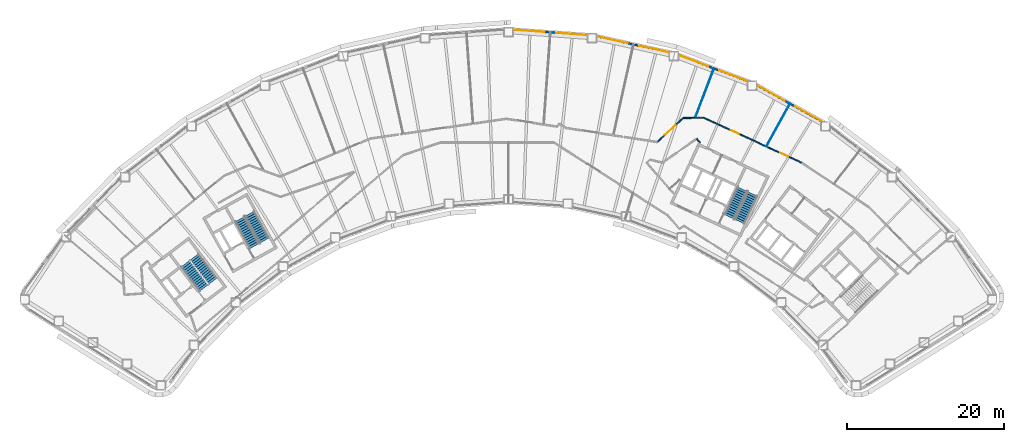
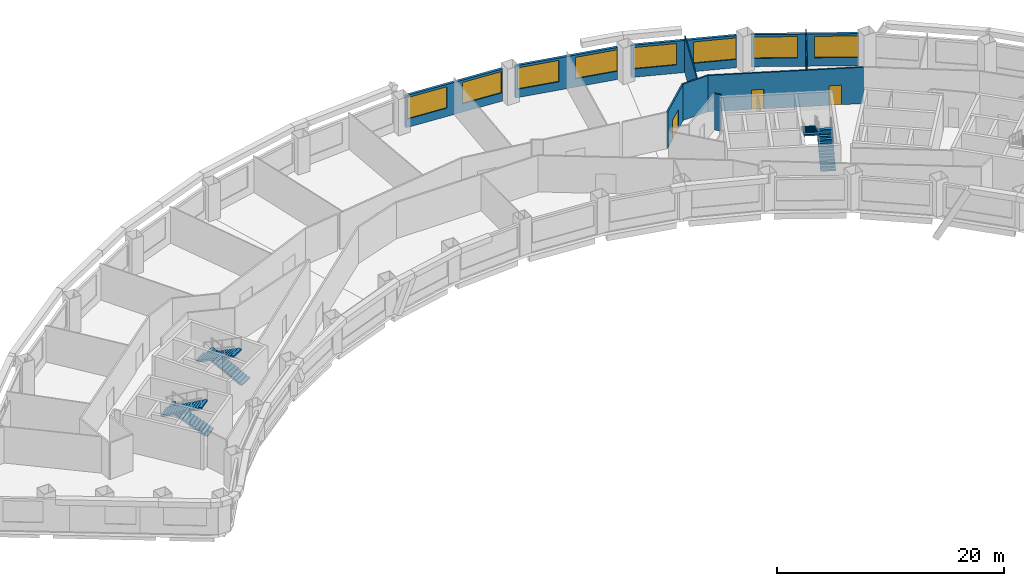
# One storey, part 8 of 11: 10 walls, 8 windows, 6 stair flights, 3 doors, 11 openings, 3 elements without a shape of their own.
"""IFC4 building model written with IfcOpenShell, lengths in metres."""

from ifc_helpers import new_model, si_unit, direction, frame, frame_2d, origin, place, context, subcontext, project, spatial, polyline, rectangle, outline, extrude, material, layer, layer_set, type_object, element, fill, aggregate, save


model = new_model("IFC4")

# Units and contexts
model_context = context("Model", 3, precision=1e-05, world=origin(), true_north=direction((0.0, 1.0)))
body_context = subcontext(model_context, "Body", "Model", "MODEL_VIEW")
ifc_project = project(units=[si_unit("LENGTHUNIT", "METRE"), si_unit("AREAUNIT", "SQUARE_METRE"), si_unit("VOLUMEUNIT", "CUBIC_METRE"), si_unit("PLANEANGLEUNIT", "RADIAN"), si_unit("MASSUNIT", "GRAM", prefix="KILO")], contexts=[model_context])

# Site, building, storey
site_placement = place(None, origin())
site = spatial("IfcSite", under=ifc_project, at=site_placement, CompositionType="ELEMENT")
building_placement = place(site_placement, origin())
building = spatial("IfcBuilding", under=site, at=building_placement, Name="Tuul Gate Civic Tower", CompositionType="ELEMENT")
storey_placement = place(building_placement, frame((0.0, 0.0, 69.60009765625)))
storey = spatial("IfcBuildingStorey", under=building, at=storey_placement, Name="Level 15", CompositionType="ELEMENT", Elevation=69.60009765625)

# Wall, openings, doors
ifc_material_1 = material(Name="Gypsum board partition")
ifc_layer_1 = layer(ifc_material_1, 0.14990234375)
ifc_layer_set_1 = layer_set([ifc_layer_1], Name="Gypsum board partition")
wall_type_1 = type_object("IfcWallType", Name="Corridor wall P150", PredefinedType="PARTITIONING", material=ifc_layer_set_1)
wall_1_placement = place(storey_placement, frame((29.681884765625, 7.77734375, 0.0), z_axis=(0.0, 0.0, 1.0), x_axis=(0.908660653777, -0.417535407213, 0.0)))
wall_1 = element("IfcWall", 1, at=wall_1_placement, inside=storey, type_object=wall_type_1, Name="p010", PredefinedType="PARTITIONING", context=body_context, shape_type="SweptSolid", body=[
    extrude(rectangle(XDim=13.76123046875, YDim=0.14990234375, at=frame_2d((6.880615234375, 0.0))), origin(), (0.0, 0.0, 1.0), 3.89990234375),
])
opening_1_placement = place(wall_1_placement, frame((10.729736328125, 0.0, 0.0)))
opening_1 = element("IfcOpeningElement", 2, at=opening_1_placement, cuts=wall_1, Name="Opening D-D02", PredefinedType="OPENING", context=body_context, shape_type="SweptSolid", body=[
    extrude(rectangle(XDim=1.10009765625, YDim=2.10009765625, at=frame_2d((0.550048828125, 1.050048828125))), frame((0.0, 0.0849609375, 0.0), z_axis=(0.0, -1.0, 0.0), x_axis=(1.0, 0.0, 0.0)), (0.0, 0.0, 1.0), 0.169921875),
])
opening_2_placement = place(wall_1_placement, frame((3.84912109375, 0.0, 0.0)))
opening_2 = element("IfcOpeningElement", 3, at=opening_2_placement, cuts=wall_1, Name="Opening D-D03", PredefinedType="OPENING", context=body_context, shape_type="SweptSolid", body=[
    extrude(rectangle(XDim=1.10009765625, YDim=2.10009765625, at=frame_2d((0.550048828125, 1.050048828125))), frame((0.0, 0.0849609375, 0.0), z_axis=(0.0, -1.0, 0.0), x_axis=(1.0, 0.0, 0.0)), (0.0, 0.0, 1.0), 0.169921875),
])
ifc_material_2 = material(Name="Timber door leaf", Category="wood")
door_type_1 = type_object("IfcDoorType", Name="Door D11", OperationType="NOTDEFINED", PredefinedType="DOOR", material=ifc_material_2)
door_1_placement = place(opening_1_placement, origin())
door_1 = element("IfcDoor", 4, at=door_1_placement, inside=storey, type_object=door_type_1, Name="Door D-D02", OperationType="SINGLE_SWING_RIGHT", OverallHeight=2.10009765625, OverallWidth=1.10009765625, PredefinedType="DOOR", context=body_context, shape_type="SweptSolid", body=[
    extrude(rectangle(XDim=1.10009765625, YDim=2.10009765625, at=frame_2d((0.550048828125, 1.050048828125))), frame((0.0, 0.02490234375, 0.0), z_axis=(0.0, -1.0, 0.0), x_axis=(1.0, 0.0, 0.0)), (0.0, 0.0, 1.0), 0.050048828125),
])
fill(opening_1, door_1)
door_2_placement = place(opening_2_placement, origin())
door_2 = element("IfcDoor", 5, at=door_2_placement, inside=storey, type_object=door_type_1, Name="Door D-D03", OperationType="SINGLE_SWING_RIGHT", OverallHeight=2.10009765625, OverallWidth=1.10009765625, PredefinedType="DOOR", context=body_context, shape_type="SweptSolid", body=[
    extrude(rectangle(XDim=1.10009765625, YDim=2.10009765625, at=frame_2d((0.550048828125, 1.050048828125))), frame((0.0, 0.02490234375, 0.0), z_axis=(0.0, -1.0, 0.0), x_axis=(1.0, 0.0, 0.0)), (0.0, 0.0, 1.0), 0.050048828125),
])
fill(opening_2, door_2)

# Wall
wall_2_placement = place(storey_placement, frame((27.086669921875, 7.726806640625, 0.0), z_axis=(0.0, 0.0, 1.0), x_axis=(0.999808508036, 0.019569038268, 0.0)))
element("IfcWall", 6, at=wall_2_placement, inside=storey, type_object=wall_type_1, Name="p012", PredefinedType="PARTITIONING", context=body_context, shape_type="SweptSolid", body=[
    extrude(rectangle(XDim=2.594970703125, YDim=0.14990234375, at=frame_2d((1.29736328125, 0.0))), origin(), (0.0, 0.0, 1.0), 3.89990234375),
])

# Wall, opening, door
wall_3_placement = place(storey_placement, frame((23.764404296875, 4.680419921875, 0.0), z_axis=(0.0, 0.0, 1.0), x_axis=(0.736974217678, 0.675920855188, 0.0)))
wall_3 = element("IfcWall", 7, at=wall_3_placement, inside=storey, type_object=wall_type_1, Name="p014", PredefinedType="PARTITIONING", context=body_context, shape_type="SweptSolid", body=[
    extrude(rectangle(XDim=4.506591796875, YDim=0.14990234375, at=frame_2d((2.25341796875, 0.0))), origin(), (0.0, 0.0, 1.0), 3.89990234375),
])
opening_3_placement = place(wall_3_placement, frame((1.353515625, 0.0, 0.0)))
opening_3 = element("IfcOpeningElement", 8, at=opening_3_placement, cuts=wall_3, Name="Opening D-D04", PredefinedType="OPENING", context=body_context, shape_type="SweptSolid", body=[
    extrude(rectangle(XDim=1.800048828125, YDim=2.10009765625, at=frame_2d((0.89990234375, 1.050048828125))), frame((0.0, 0.0849609375, 0.0), z_axis=(0.0, -1.0, 0.0), x_axis=(1.0, 0.0, 0.0)), (0.0, 0.0, 1.0), 0.169921875),
])
ifc_material_3 = material(Name="Timber door leaf, double", Category="wood")
door_type_2 = type_object("IfcDoorType", Name="Door D18", OperationType="DOUBLE_DOOR_SINGLE_SWING", PredefinedType="DOOR", material=ifc_material_3)
door_3_placement = place(opening_3_placement, origin())
door_3 = element("IfcDoor", 9, at=door_3_placement, inside=storey, type_object=door_type_2, Name="Door D-D04", OperationType="DOUBLE_DOOR_SINGLE_SWING", OverallHeight=2.10009765625, OverallWidth=1.800048828125, PredefinedType="DOOR", context=body_context, shape_type="SweptSolid", body=[
    extrude(rectangle(XDim=1.800048828125, YDim=2.10009765625, at=frame_2d((0.89990234375, 1.050048828125))), frame((0.0, 0.02490234375, 0.0), z_axis=(0.0, -1.0, 0.0), x_axis=(1.0, 0.0, 0.0)), (0.0, 0.0, 1.0), 0.050048828125),
])
fill(opening_3, door_3)

# Wall
wall_4_placement = place(storey_placement, frame((28.791748046875, 5.095947265625, 0.0), z_axis=(0.0, 0.0, 1.0), x_axis=(0.657976599843, -0.753038374891, 0.0)))
element("IfcWall", 10, at=wall_4_placement, inside=storey, type_object=wall_type_1, Name="p058", PredefinedType="PARTITIONING", context=body_context, shape_type="SweptSolid", body=[
    extrude(rectangle(XDim=0.65478515625, YDim=0.14990234375, at=frame_2d((0.327392578125, 0.0))), origin(), (0.0, 0.0, 1.0), 3.89990234375),
])

# Wall, openings, windows
ifc_material_4 = material(Name="Precast concrete C40/50", Category="concrete")
ifc_layer_2 = layer(ifc_material_4, 0.25)
ifc_layer_set_2 = layer_set([ifc_layer_2], Name="Precast concrete C40/50")
wall_type_2 = type_object("IfcWallType", Name="External wall", PredefinedType="STANDARD", material=ifc_layer_set_2)
wall_5_placement = place(storey_placement, frame((44.798583984375, 7.283935546875, 0.0), z_axis=(0.0, 0.0, 1.0), x_axis=(-0.874600835604, 0.484843663835, 0.0)))
wall_5 = element("IfcWall", 11, at=wall_5_placement, inside=storey, type_object=wall_type_2, Name="External wall", PredefinedType="STANDARD", context=body_context, shape_type="SweptSolid", body=[
    extrude(rectangle(XDim=9.5205078125, YDim=0.25, at=frame_2d((4.76025390625, 0.0))), origin(), (0.0, 0.0, 1.0), 3.449951171875),
])
opening_4_placement = place(wall_5_placement, frame((0.0771484375, 0.0, 0.89990234375)))
opening_4 = element("IfcOpeningElement", 12, at=opening_4_placement, cuts=wall_5, Name="Opening W22", PredefinedType="OPENING", context=body_context, shape_type="SweptSolid", body=[
    extrude(rectangle(XDim=3.85009765625, YDim=2.300048828125, at=frame_2d((1.925048828125, 1.14990234375))), frame((0.0, 0.135009765625, 0.0), z_axis=(0.0, -1.0, 0.0), x_axis=(1.0, 0.0, 0.0)), (0.0, 0.0, 1.0), 0.27001953125),
])
opening_5_placement = place(wall_5_placement, frame((5.447998046875, 0.0, 0.89990234375)))
opening_5 = element("IfcOpeningElement", 13, at=opening_5_placement, cuts=wall_5, Name="Opening W22", PredefinedType="OPENING", context=body_context, shape_type="SweptSolid", body=[
    extrude(rectangle(XDim=3.85009765625, YDim=2.300048828125, at=frame_2d((1.925048828125, 1.14990234375))), frame((0.0, 0.135009765625, 0.0), z_axis=(0.0, -1.0, 0.0), x_axis=(1.0, 0.0, 0.0)), (0.0, 0.0, 1.0), 0.27001953125),
])
ifc_material_5 = material(Name="Glass", Category="glass")
window_type_1 = type_object("IfcWindowType", Name="Window W22 3850 x 2300", PartitioningType="SINGLE_PANEL", PredefinedType="WINDOW", material=ifc_material_5)
window_1_placement = place(opening_4_placement, origin())
window_1 = element("IfcWindow", 14, at=window_1_placement, inside=storey, type_object=window_type_1, Name="Window", OverallHeight=2.300048828125, OverallWidth=3.85009765625, PartitioningType="SINGLE_PANEL", PredefinedType="WINDOW", context=body_context, shape_type="SweptSolid", body=[
    extrude(rectangle(XDim=3.85009765625, YDim=2.300048828125, at=frame_2d((1.925048828125, 1.14990234375))), frame((0.0, 0.030029296875, 0.0), z_axis=(0.0, -1.0, 0.0), x_axis=(1.0, 0.0, 0.0)), (0.0, 0.0, 1.0), 0.06005859375),
])
fill(opening_4, window_1)
window_2_placement = place(opening_5_placement, origin())
window_2 = element("IfcWindow", 15, at=window_2_placement, inside=storey, type_object=window_type_1, Name="Window", OverallHeight=2.300048828125, OverallWidth=3.85009765625, PartitioningType="SINGLE_PANEL", PredefinedType="WINDOW", context=body_context, shape_type="SweptSolid", body=[
    extrude(rectangle(XDim=3.85009765625, YDim=2.300048828125, at=frame_2d((1.925048828125, 1.14990234375))), frame((0.0, 0.030029296875, 0.0), z_axis=(0.0, -1.0, 0.0), x_axis=(1.0, 0.0, 0.0)), (0.0, 0.0, 1.0), 0.06005859375),
])
fill(opening_5, window_2)

wall_6_placement = place(storey_placement, frame((35.27197265625, 12.43505859375, 0.0), z_axis=(0.0, 0.0, 1.0), x_axis=(-0.935339717619, 0.35375077759, 0.0)))
wall_6 = element("IfcWall", 16, at=wall_6_placement, inside=storey, type_object=wall_type_2, Name="External wall", PredefinedType="STANDARD", context=body_context, shape_type="SweptSolid", body=[
    extrude(rectangle(XDim=9.394287109375, YDim=0.25, at=frame_2d((4.697265625, 0.0))), origin(), (0.0, 0.0, 1.0), 3.449951171875),
])
opening_6_placement = place(wall_6_placement, frame((0.044921875, 0.0, 0.89990234375)))
opening_6 = element("IfcOpeningElement", 17, at=opening_6_placement, cuts=wall_6, Name="Opening W100", PredefinedType="OPENING", context=body_context, shape_type="SweptSolid", body=[
    extrude(rectangle(XDim=3.800048828125, YDim=2.300048828125, at=frame_2d((1.89990234375, 1.14990234375))), frame((0.0, 0.135009765625, 0.0), z_axis=(0.0, -1.0, 0.0), x_axis=(1.0, 0.0, 0.0)), (0.0, 0.0, 1.0), 0.27001953125),
])
opening_7_placement = place(wall_6_placement, frame((5.33447265625, 0.0, 0.89990234375)))
opening_7 = element("IfcOpeningElement", 18, at=opening_7_placement, cuts=wall_6, Name="Opening W22", PredefinedType="OPENING", context=body_context, shape_type="SweptSolid", body=[
    extrude(rectangle(XDim=3.85009765625, YDim=2.300048828125, at=frame_2d((1.925048828125, 1.14990234375))), frame((0.0, 0.135009765625, 0.0), z_axis=(0.0, -1.0, 0.0), x_axis=(1.0, 0.0, 0.0)), (0.0, 0.0, 1.0), 0.27001953125),
])
ifc_material_6 = material(Name="Glass", Category="glass")
window_type_2 = type_object("IfcWindowType", Name="Window W100 3800 x 2300", PartitioningType="SINGLE_PANEL", PredefinedType="WINDOW", material=ifc_material_6)
window_3_placement = place(opening_6_placement, origin())
window_3 = element("IfcWindow", 19, at=window_3_placement, inside=storey, type_object=window_type_2, Name="Window", OverallHeight=2.300048828125, OverallWidth=3.800048828125, PartitioningType="SINGLE_PANEL", PredefinedType="WINDOW", context=body_context, shape_type="SweptSolid", body=[
    extrude(rectangle(XDim=3.800048828125, YDim=2.300048828125, at=frame_2d((1.89990234375, 1.14990234375))), frame((0.0, 0.030029296875, 0.0), z_axis=(0.0, -1.0, 0.0), x_axis=(1.0, 0.0, 0.0)), (0.0, 0.0, 1.0), 0.06005859375),
])
fill(opening_6, window_3)
window_4_placement = place(opening_7_placement, origin())
window_4 = element("IfcWindow", 20, at=window_4_placement, inside=storey, type_object=window_type_1, Name="Window", OverallHeight=2.300048828125, OverallWidth=3.85009765625, PartitioningType="SINGLE_PANEL", PredefinedType="WINDOW", context=body_context, shape_type="SweptSolid", body=[
    extrude(rectangle(XDim=3.85009765625, YDim=2.300048828125, at=frame_2d((1.925048828125, 1.14990234375))), frame((0.0, 0.030029296875, 0.0), z_axis=(0.0, -1.0, 0.0), x_axis=(1.0, 0.0, 0.0)), (0.0, 0.0, 1.0), 0.06005859375),
])
fill(opening_7, window_4)

wall_7_placement = place(storey_placement, frame((25.284912109375, 16.1025390625, 0.0), z_axis=(0.0, 0.0, 1.0), x_axis=(-0.976565560321, 0.215220134732, 0.0)))
wall_7 = element("IfcWall", 21, at=wall_7_placement, inside=storey, type_object=wall_type_2, Name="External wall", PredefinedType="STANDARD", context=body_context, shape_type="SweptSolid", body=[
    extrude(rectangle(XDim=9.4482421875, YDim=0.25, at=frame_2d((4.72412109375, 0.0))), origin(), (0.0, 0.0, 1.0), 3.449951171875),
])
opening_8_placement = place(wall_7_placement, frame((0.041748046875, 0.0, 0.89990234375)))
opening_8 = element("IfcOpeningElement", 22, at=opening_8_placement, cuts=wall_7, Name="Opening W22", PredefinedType="OPENING", context=body_context, shape_type="SweptSolid", body=[
    extrude(rectangle(XDim=3.85009765625, YDim=2.300048828125, at=frame_2d((1.925048828125, 1.14990234375))), frame((0.0, 0.135009765625, 0.0), z_axis=(0.0, -1.0, 0.0), x_axis=(1.0, 0.0, 0.0)), (0.0, 0.0, 1.0), 0.27001953125),
])
opening_9_placement = place(wall_7_placement, frame((5.4130859375, 0.0, 0.89990234375)))
opening_9 = element("IfcOpeningElement", 23, at=opening_9_placement, cuts=wall_7, Name="Opening W22", PredefinedType="OPENING", context=body_context, shape_type="SweptSolid", body=[
    extrude(rectangle(XDim=3.85009765625, YDim=2.300048828125, at=frame_2d((1.925048828125, 1.14990234375))), frame((0.0, 0.135009765625, 0.0), z_axis=(0.0, -1.0, 0.0), x_axis=(1.0, 0.0, 0.0)), (0.0, 0.0, 1.0), 0.27001953125),
])
window_5_placement = place(opening_8_placement, origin())
window_5 = element("IfcWindow", 24, at=window_5_placement, inside=storey, type_object=window_type_1, Name="Window", OverallHeight=2.300048828125, OverallWidth=3.85009765625, PartitioningType="SINGLE_PANEL", PredefinedType="WINDOW", context=body_context, shape_type="SweptSolid", body=[
    extrude(rectangle(XDim=3.85009765625, YDim=2.300048828125, at=frame_2d((1.925048828125, 1.14990234375))), frame((0.0, 0.030029296875, 0.0), z_axis=(0.0, -1.0, 0.0), x_axis=(1.0, 0.0, 0.0)), (0.0, 0.0, 1.0), 0.06005859375),
])
fill(opening_8, window_5)
window_6_placement = place(opening_9_placement, origin())
window_6 = element("IfcWindow", 25, at=window_6_placement, inside=storey, type_object=window_type_1, Name="Window", OverallHeight=2.300048828125, OverallWidth=3.85009765625, PartitioningType="SINGLE_PANEL", PredefinedType="WINDOW", context=body_context, shape_type="SweptSolid", body=[
    extrude(rectangle(XDim=3.85009765625, YDim=2.300048828125, at=frame_2d((1.925048828125, 1.14990234375))), frame((0.0, 0.030029296875, 0.0), z_axis=(0.0, -1.0, 0.0), x_axis=(1.0, 0.0, 0.0)), (0.0, 0.0, 1.0), 0.06005859375),
])
fill(opening_9, window_6)

wall_8_placement = place(storey_placement, frame((14.85791015625, 18.304931640625, 0.0), z_axis=(0.0, 0.0, 1.0), x_axis=(-0.997388240585, 0.072226709338, 0.0)))
wall_8 = element("IfcWall", 26, at=wall_8_placement, inside=storey, type_object=wall_type_2, Name="External wall", PredefinedType="STANDARD", context=body_context, shape_type="SweptSolid", body=[
    extrude(rectangle(XDim=9.474609375, YDim=0.25, at=frame_2d((4.7373046875, 0.0))), origin(), (0.0, 0.0, 1.0), 3.449951171875),
])
opening_10_placement = place(wall_8_placement, frame((0.10302734375, 0.0, 0.89990234375)))
opening_10 = element("IfcOpeningElement", 27, at=opening_10_placement, cuts=wall_8, Name="Opening W22", PredefinedType="OPENING", context=body_context, shape_type="SweptSolid", body=[
    extrude(rectangle(XDim=3.85009765625, YDim=2.300048828125, at=frame_2d((1.925048828125, 1.14990234375))), frame((0.0, 0.135009765625, 0.0), z_axis=(0.0, -1.0, 0.0), x_axis=(1.0, 0.0, 0.0)), (0.0, 0.0, 1.0), 0.27001953125),
])
opening_11_placement = place(wall_8_placement, frame((5.474609375, 0.0, 0.89990234375)))
opening_11 = element("IfcOpeningElement", 28, at=opening_11_placement, cuts=wall_8, Name="Opening W22", PredefinedType="OPENING", context=body_context, shape_type="SweptSolid", body=[
    extrude(rectangle(XDim=3.85009765625, YDim=2.300048828125, at=frame_2d((1.925048828125, 1.14990234375))), frame((0.0, 0.135009765625, 0.0), z_axis=(0.0, -1.0, 0.0), x_axis=(1.0, 0.0, 0.0)), (0.0, 0.0, 1.0), 0.27001953125),
])
window_7_placement = place(opening_10_placement, origin())
window_7 = element("IfcWindow", 29, at=window_7_placement, inside=storey, type_object=window_type_1, Name="Window", OverallHeight=2.300048828125, OverallWidth=3.85009765625, PartitioningType="SINGLE_PANEL", PredefinedType="WINDOW", context=body_context, shape_type="SweptSolid", body=[
    extrude(rectangle(XDim=3.85009765625, YDim=2.300048828125, at=frame_2d((1.925048828125, 1.14990234375))), frame((0.0, 0.030029296875, 0.0), z_axis=(0.0, -1.0, 0.0), x_axis=(1.0, 0.0, 0.0)), (0.0, 0.0, 1.0), 0.06005859375),
])
fill(opening_10, window_7)
window_8_placement = place(opening_11_placement, origin())
window_8 = element("IfcWindow", 30, at=window_8_placement, inside=storey, type_object=window_type_1, Name="Window", OverallHeight=2.300048828125, OverallWidth=3.85009765625, PartitioningType="SINGLE_PANEL", PredefinedType="WINDOW", context=body_context, shape_type="SweptSolid", body=[
    extrude(rectangle(XDim=3.85009765625, YDim=2.300048828125, at=frame_2d((1.925048828125, 1.14990234375))), frame((0.0, 0.030029296875, 0.0), z_axis=(0.0, -1.0, 0.0), x_axis=(1.0, 0.0, 0.0)), (0.0, 0.0, 1.0), 0.06005859375),
])
fill(opening_11, window_8)

# Walls
ifc_material_7 = material(Name="Gypsum board partition")
ifc_layer_3 = layer(ifc_material_7, 0.10009765625)
ifc_layer_set_3 = layer_set([ifc_layer_3], Name="Gypsum board partition")
wall_type_3 = type_object("IfcWallType", Name="Partition P100", PredefinedType="PARTITIONING", material=ifc_layer_set_3)
wall_9_placement = place(storey_placement, frame((37.67626953125, 4.103759765625, 0.0), z_axis=(0.0, 0.0, 1.0), x_axis=(0.484825476666, 0.874610917595, 0.0)))
element("IfcWall", 31, at=wall_9_placement, inside=storey, type_object=wall_type_3, Name="p009", PredefinedType="PARTITIONING", context=body_context, shape_type="SweptSolid", body=[
    extrude(rectangle(XDim=6.23974609375, YDim=0.10009765625, at=frame_2d((3.119873046875, 0.0))), origin(), (0.0, 0.0, 1.0), 3.89990234375),
])
wall_10_placement = place(storey_placement, frame((28.6123046875, 7.756591796875, 0.0), z_axis=(0.0, 0.0, 1.0), x_axis=(0.353735300926, 0.935345570834, 0.0)))
element("IfcWall", 32, at=wall_10_placement, inside=storey, type_object=wall_type_3, Name="p011", PredefinedType="PARTITIONING", context=body_context, shape_type="SweptSolid", body=[
    extrude(rectangle(XDim=6.73681640625, YDim=0.10009765625, at=frame_2d((3.368408203125, 0.0))), origin(), (0.0, 0.0, 1.0), 3.89990234375),
])

# Stair, stair flights
ifc_material_8 = material(Name="Concrete C40/50", Category="concrete")
stair_type = type_object("IfcStairType", Name="Exit stair", PredefinedType="HALF_TURN_STAIR", material=ifc_material_8)
stair_1_placement = place(storey_placement, origin())
stair_1 = element("IfcStair", 33, at=stair_1_placement, inside=storey, type_object=stair_type, Name="Level 15 ST-1", PredefinedType="HALF_TURN_STAIR")
ifc_material_9 = material(Name="Concrete C40/50", Category="concrete")
stair_flight_type = type_object("IfcStairFlightType", Name="Exit stair flight", PredefinedType="STRAIGHT", material=ifc_material_9)
stair_flight_1_placement = place(storey_placement, frame((-32.875244140625, -13.066650390625, 0.0), z_axis=(0.0, 0.0, 1.0), x_axis=(-0.605764474941, 0.795644016442, 0.0)))
stair_flight_1 = element("IfcStairFlight", 34, at=stair_flight_1_placement, type_object=stair_flight_type, Name="ST-1 flight 1", NumberOfRisers=14, NumberOfTreads=13, PredefinedType="STRAIGHT", RiserHeight=0.15, TreadLength=0.3, context=body_context, shape_type="SweptSolid", body=[
    extrude(outline(polyline([(0.0, 0.0), (0.0, 0.14990234375), (0.300048828125, 0.14990234375), (0.300048828125, 0.300048828125), (0.60009765625, 0.300048828125), (0.60009765625, 0.449951171875), (0.89990234375, 0.449951171875), (0.89990234375, 0.60009765625), (1.199951171875, 0.60009765625), (1.199951171875, 0.75), (1.5, 0.75), (1.5, 0.89990234375), (1.800048828125, 0.89990234375), (1.800048828125, 1.050048828125), (2.10009765625, 1.050048828125), (2.10009765625, 1.199951171875), (2.39990234375, 1.199951171875), (2.39990234375, 1.35009765625), (2.699951171875, 1.35009765625), (2.699951171875, 1.5), (3.0, 1.5), (3.0, 1.64990234375), (3.300048828125, 1.64990234375), (3.300048828125, 1.800048828125), (3.60009765625, 1.800048828125), (3.60009765625, 1.949951171875), (3.89990234375, 1.949951171875), (3.89990234375, 2.10009765625), (3.89990234375, 1.782470703125), (0.335205078125, 0.0), (0.0, 0.0)])), frame((0.0, 0.675048828125, 0.0), z_axis=(0.0, -1.0, 0.0), x_axis=(1.0, 0.0, 0.0)), (0.0, 0.0, 1.0), 1.35009765625),
])
stair_flight_2_placement = place(storey_placement, frame((-36.391357421875, -10.842041015625, 2.099853515625), z_axis=(0.0, 0.0, 1.0), x_axis=(0.605764474941, -0.795644016442, 0.0)))
stair_flight_2 = element("IfcStairFlight", 35, at=stair_flight_2_placement, type_object=stair_flight_type, Name="ST-1 flight 2", NumberOfRisers=14, NumberOfTreads=13, PredefinedType="STRAIGHT", RiserHeight=0.15, TreadLength=0.3, context=body_context, shape_type="SweptSolid", body=[
    extrude(outline(polyline([(0.0, 0.0), (0.0, 0.14990234375), (0.300048828125, 0.14990234375), (0.300048828125, 0.300048828125), (0.60009765625, 0.300048828125), (0.60009765625, 0.449951171875), (0.89990234375, 0.449951171875), (0.89990234375, 0.60009765625), (1.199951171875, 0.60009765625), (1.199951171875, 0.75), (1.5, 0.75), (1.5, 0.89990234375), (1.800048828125, 0.89990234375), (1.800048828125, 1.050048828125), (2.10009765625, 1.050048828125), (2.10009765625, 1.199951171875), (2.39990234375, 1.199951171875), (2.39990234375, 1.35009765625), (2.699951171875, 1.35009765625), (2.699951171875, 1.5), (3.0, 1.5), (3.0, 1.64990234375), (3.300048828125, 1.64990234375), (3.300048828125, 1.800048828125), (3.60009765625, 1.800048828125), (3.60009765625, 1.949951171875), (3.89990234375, 1.949951171875), (3.89990234375, 2.10009765625), (3.89990234375, 1.782470703125), (0.335205078125, 0.0), (0.0, 0.0)])), frame((0.0, 0.675048828125, 0.0), z_axis=(0.0, -1.0, 0.0), x_axis=(1.0, 0.0, 0.0)), (0.0, 0.0, 1.0), 1.35009765625),
])
aggregate(stair_1, [stair_flight_1, stair_flight_2])

stair_2_placement = place(storey_placement, origin())
stair_2 = element("IfcStair", 36, at=stair_2_placement, inside=storey, type_object=stair_type, Name="Level 15 ST-2", PredefinedType="HALF_TURN_STAIR")
stair_flight_3_placement = place(storey_placement, frame((-26.29150390625, -7.87646484375, 0.0), z_axis=(0.0, 0.0, 1.0), x_axis=(-0.484761763766, 0.874646232708, 0.0)))
stair_flight_3 = element("IfcStairFlight", 37, at=stair_flight_3_placement, type_object=stair_flight_type, Name="ST-2 flight 1", NumberOfRisers=14, NumberOfTreads=13, PredefinedType="STRAIGHT", RiserHeight=0.15, TreadLength=0.3, context=body_context, shape_type="SweptSolid", body=[
    extrude(outline(polyline([(0.0, 0.0), (0.0, 0.14990234375), (0.300048828125, 0.14990234375), (0.300048828125, 0.300048828125), (0.60009765625, 0.300048828125), (0.60009765625, 0.449951171875), (0.89990234375, 0.449951171875), (0.89990234375, 0.60009765625), (1.199951171875, 0.60009765625), (1.199951171875, 0.75), (1.5, 0.75), (1.5, 0.89990234375), (1.800048828125, 0.89990234375), (1.800048828125, 1.050048828125), (2.10009765625, 1.050048828125), (2.10009765625, 1.199951171875), (2.39990234375, 1.199951171875), (2.39990234375, 1.35009765625), (2.699951171875, 1.35009765625), (2.699951171875, 1.5), (3.0, 1.5), (3.0, 1.64990234375), (3.300048828125, 1.64990234375), (3.300048828125, 1.800048828125), (3.60009765625, 1.800048828125), (3.60009765625, 1.949951171875), (3.89990234375, 1.949951171875), (3.89990234375, 2.10009765625), (3.89990234375, 1.782470703125), (0.335205078125, 0.0), (0.0, 0.0)])), frame((0.0, 0.675048828125, 0.0), z_axis=(0.0, -1.0, 0.0), x_axis=(1.0, 0.0, 0.0)), (0.0, 0.0, 1.0), 1.35009765625),
])
stair_flight_4_placement = place(storey_placement, frame((-29.450439453125, -5.168212890625, 2.099853515625), z_axis=(0.0, 0.0, 1.0), x_axis=(0.484761763766, -0.874646232708, 0.0)))
stair_flight_4 = element("IfcStairFlight", 38, at=stair_flight_4_placement, type_object=stair_flight_type, Name="ST-2 flight 2", NumberOfRisers=14, NumberOfTreads=13, PredefinedType="STRAIGHT", RiserHeight=0.15, TreadLength=0.3, context=body_context, shape_type="SweptSolid", body=[
    extrude(outline(polyline([(0.0, 0.0), (0.0, 0.14990234375), (0.300048828125, 0.14990234375), (0.300048828125, 0.300048828125), (0.60009765625, 0.300048828125), (0.60009765625, 0.449951171875), (0.89990234375, 0.449951171875), (0.89990234375, 0.60009765625), (1.199951171875, 0.60009765625), (1.199951171875, 0.75), (1.5, 0.75), (1.5, 0.89990234375), (1.800048828125, 0.89990234375), (1.800048828125, 1.050048828125), (2.10009765625, 1.050048828125), (2.10009765625, 1.199951171875), (2.39990234375, 1.199951171875), (2.39990234375, 1.35009765625), (2.699951171875, 1.35009765625), (2.699951171875, 1.5), (3.0, 1.5), (3.0, 1.64990234375), (3.300048828125, 1.64990234375), (3.300048828125, 1.800048828125), (3.60009765625, 1.800048828125), (3.60009765625, 1.949951171875), (3.89990234375, 1.949951171875), (3.89990234375, 2.10009765625), (3.89990234375, 1.782470703125), (0.335205078125, 0.0), (0.0, 0.0)])), frame((0.0, 0.675048828125, 0.0), z_axis=(0.0, -1.0, 0.0), x_axis=(1.0, 0.0, 0.0)), (0.0, 0.0, 1.0), 1.35009765625),
])
aggregate(stair_2, [stair_flight_3, stair_flight_4])

stair_3_placement = place(storey_placement, origin())
stair_3 = element("IfcStair", 39, at=stair_3_placement, inside=storey, type_object=stair_type, Name="Level 15 ST-4", PredefinedType="HALF_TURN_STAIR")
stair_flight_5_placement = place(storey_placement, frame((34.278564453125, -5.478515625, 0.0), z_axis=(0.0, 0.0, 1.0), x_axis=(0.422576295988, 0.906327354806, 0.0)))
stair_flight_5 = element("IfcStairFlight", 40, at=stair_flight_5_placement, type_object=stair_flight_type, Name="ST-4 flight 1", NumberOfRisers=14, NumberOfTreads=13, PredefinedType="STRAIGHT", RiserHeight=0.15, TreadLength=0.3, context=body_context, shape_type="SweptSolid", body=[
    extrude(outline(polyline([(0.0, 0.0), (0.0, 0.14990234375), (0.300048828125, 0.14990234375), (0.300048828125, 0.300048828125), (0.60009765625, 0.300048828125), (0.60009765625, 0.449951171875), (0.89990234375, 0.449951171875), (0.89990234375, 0.60009765625), (1.199951171875, 0.60009765625), (1.199951171875, 0.75), (1.5, 0.75), (1.5, 0.89990234375), (1.800048828125, 0.89990234375), (1.800048828125, 1.050048828125), (2.10009765625, 1.050048828125), (2.10009765625, 1.199951171875), (2.39990234375, 1.199951171875), (2.39990234375, 1.35009765625), (2.699951171875, 1.35009765625), (2.699951171875, 1.5), (3.0, 1.5), (3.0, 1.64990234375), (3.300048828125, 1.64990234375), (3.300048828125, 1.800048828125), (3.60009765625, 1.800048828125), (3.60009765625, 1.949951171875), (3.89990234375, 1.949951171875), (3.89990234375, 2.10009765625), (3.89990234375, 1.782470703125), (0.335205078125, 0.0), (0.0, 0.0)])), frame((0.0, 0.675048828125, 0.0), z_axis=(0.0, -1.0, 0.0), x_axis=(1.0, 0.0, 0.0)), (0.0, 0.0, 1.0), 1.35009765625),
])
stair_flight_6_placement = place(storey_placement, frame((34.612548828125, -1.3310546875, 2.099853515625), z_axis=(0.0, 0.0, 1.0), x_axis=(-0.422576295988, -0.906327354806, 0.0)))
stair_flight_6 = element("IfcStairFlight", 41, at=stair_flight_6_placement, type_object=stair_flight_type, Name="ST-4 flight 2", NumberOfRisers=14, NumberOfTreads=13, PredefinedType="STRAIGHT", RiserHeight=0.15, TreadLength=0.3, context=body_context, shape_type="SweptSolid", body=[
    extrude(outline(polyline([(0.0, 0.0), (0.0, 0.14990234375), (0.300048828125, 0.14990234375), (0.300048828125, 0.300048828125), (0.60009765625, 0.300048828125), (0.60009765625, 0.449951171875), (0.89990234375, 0.449951171875), (0.89990234375, 0.60009765625), (1.199951171875, 0.60009765625), (1.199951171875, 0.75), (1.5, 0.75), (1.5, 0.89990234375), (1.800048828125, 0.89990234375), (1.800048828125, 1.050048828125), (2.10009765625, 1.050048828125), (2.10009765625, 1.199951171875), (2.39990234375, 1.199951171875), (2.39990234375, 1.35009765625), (2.699951171875, 1.35009765625), (2.699951171875, 1.5), (3.0, 1.5), (3.0, 1.64990234375), (3.300048828125, 1.64990234375), (3.300048828125, 1.800048828125), (3.60009765625, 1.800048828125), (3.60009765625, 1.949951171875), (3.89990234375, 1.949951171875), (3.89990234375, 2.10009765625), (3.89990234375, 1.782470703125), (0.335205078125, 0.0), (0.0, 0.0)])), frame((0.0, 0.675048828125, 0.0), z_axis=(0.0, -1.0, 0.0), x_axis=(1.0, 0.0, 0.0)), (0.0, 0.0, 1.0), 1.35009765625),
])
aggregate(stair_3, [stair_flight_5, stair_flight_6])

save(model, "model.ifc")
